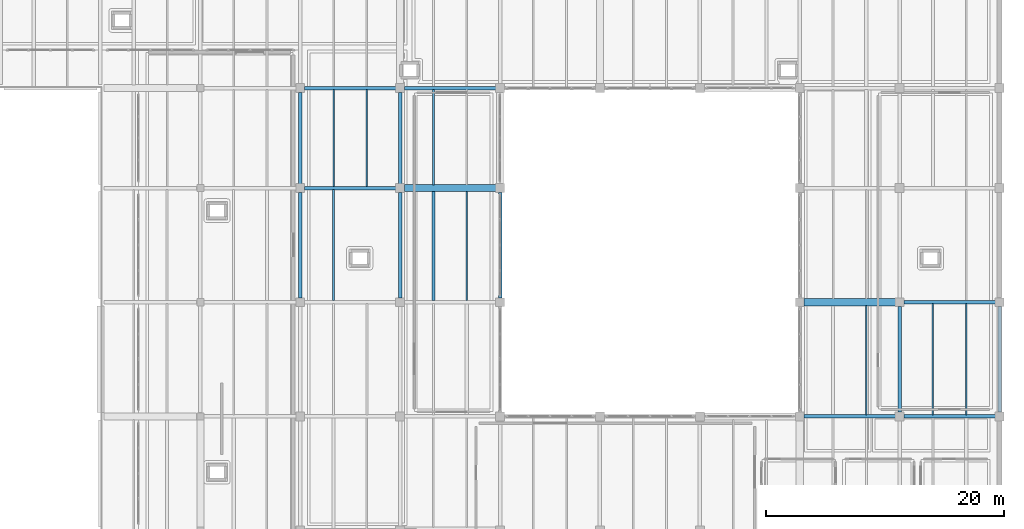
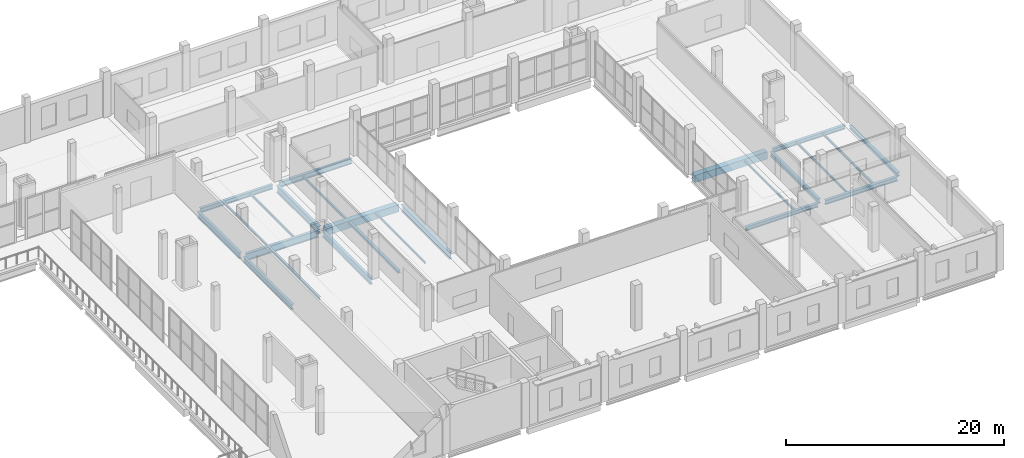
# One storey, part 41 of 77: 24 beams.
"""IFC4 building model written with IfcOpenShell, lengths in metres."""

from ifc_helpers import new_model, si_unit, direction, frame, origin, origin_2d, place, context, subcontext, project, spatial, rectangle, i_section, extrude, material, material_profile, profile_set, type_object, element, save


model = new_model("IFC4")

# Units and contexts
model_context = context("Model", 3, precision=1e-05, world=origin(), true_north=direction((0.0, 1.0)))
body_context = subcontext(model_context, "Body", "Model", "MODEL_VIEW")
ifc_project = project(units=[si_unit("LENGTHUNIT", "METRE"), si_unit("AREAUNIT", "SQUARE_METRE"), si_unit("VOLUMEUNIT", "CUBIC_METRE"), si_unit("PLANEANGLEUNIT", "RADIAN"), si_unit("MASSUNIT", "GRAM", prefix="KILO")], contexts=[model_context])

# Site, building, storey
site_placement = place(None, origin())
site = spatial("IfcSite", under=ifc_project, at=site_placement, CompositionType="ELEMENT")
building_placement = place(site_placement, origin())
building = spatial("IfcBuilding", under=site, at=building_placement, Name="Zulmaris Art Gallery", CompositionType="ELEMENT")
storey_placement = place(building_placement, frame((0.0, 0.0, 15.60009765625)))
storey = spatial("IfcBuildingStorey", under=building, at=storey_placement, Name="L03", CompositionType="ELEMENT", Elevation=15.60009765625)

# Beams
ifc_material_1 = material(Name="Steel S355J2", Category="steel")
ifc_material_profile_1 = material_profile(ifc_material_1, i_section(OverallWidth=0.300048828125, OverallDepth=0.43994140625, WebThickness=0.011474609375, FlangeThickness=0.02099609375, FilletRadius=0.027099609375, at=origin_2d()), Name="HEA 450")
ifc_profile_set_1 = profile_set([ifc_material_profile_1], Name="Steel S355J2")
beam_type_1 = type_object("IfcBeamType", Name="BEAM-BM10", PredefinedType="BEAM", material=ifc_profile_set_1)
for number, where, z_axis, x_axis, name in (
    (1, (183.9599609375, 31.199951171875, -0.6201171875), (1.0, 0.0, 0.0), (0.0, 1.0, 0.0), "L03 X-girder (183.6..192.0, y=31.2)"),
    (2, (192.360107421875, 40.800048828125, -0.6201171875), (1.0, 0.0, 0.0), (0.0, 1.0, 0.0), "L03 X-girder (192.0..200.4, y=40.8)"),
):
    element("IfcBeam", number, at=place(storey_placement, frame(where, z_axis=z_axis, x_axis=x_axis)), inside=storey, type_object=beam_type_1, Name=name, PredefinedType="BEAM", context=body_context, shape_type="SweptSolid", body=[
        extrude(i_section(OverallWidth=0.300048828125, OverallDepth=0.43994140625, WebThickness=0.011474609375, FlangeThickness=0.02099609375, FilletRadius=0.027099609375, at=origin_2d()), origin(), (0.0, 0.0, 1.0), 7.679931640625),
    ])
ifc_material_profile_2 = material_profile(ifc_material_1, i_section(OverallWidth=0.300048828125, OverallDepth=0.489990234375, WebThickness=0.011962890625, FlangeThickness=0.02294921875, FilletRadius=0.027099609375, at=origin_2d()), Name="HEA 500")
ifc_profile_set_2 = profile_set([ifc_material_profile_2], Name="Steel S355J2")
beam_type_2 = type_object("IfcBeamType", Name="BEAM-BM11", PredefinedType="BEAM", material=ifc_profile_set_2)
for number, where, z_axis, x_axis, name in (
    (3, (192.360107421875, 31.199951171875, -0.614990234375), (1.0, 0.0, 0.0), (0.0, 1.0, 0.0), "L03 X-girder (192.0..200.4, y=31.2)"),
    (4, (141.9599609375, 58.800048828125, -0.614990234375), (1.0, 0.0, 0.0), (0.0, 1.0, 0.0), "L03 X-girder (141.6..150.0, y=58.8)"),
):
    element("IfcBeam", number, at=place(storey_placement, frame(where, z_axis=z_axis, x_axis=x_axis)), inside=storey, type_object=beam_type_2, Name=name, PredefinedType="BEAM", context=body_context, shape_type="SweptSolid", body=[
        extrude(i_section(OverallWidth=0.300048828125, OverallDepth=0.489990234375, WebThickness=0.011962890625, FlangeThickness=0.02294921875, FilletRadius=0.027099609375, at=origin_2d()), origin(), (0.0, 0.0, 1.0), 7.679931640625),
    ])
beam_1_placement = place(storey_placement, frame((192.0, 31.56005859375, -0.614990234375), z_axis=(0.0, 1.0, 0.0), x_axis=(-1.0, 0.0, 0.0)))
element("IfcBeam", 5, at=beam_1_placement, inside=storey, type_object=beam_type_2, Name="L03 Y-girder (x=192.0, 31.2..40.8)", PredefinedType="BEAM", context=body_context, shape_type="SweptSolid", body=[
    extrude(i_section(OverallWidth=0.300048828125, OverallDepth=0.489990234375, WebThickness=0.011962890625, FlangeThickness=0.02294921875, FilletRadius=0.027099609375, at=origin_2d()), origin(), (0.0, 0.0, 1.0), 8.8798828125),
])
ifc_material_profile_3 = material_profile(ifc_material_1, i_section(OverallWidth=0.300048828125, OverallDepth=0.60009765625, WebThickness=0.015380859375, FlangeThickness=0.030029296875, FilletRadius=0.027099609375, at=origin_2d()), Name="HEB 600")
ifc_profile_set_3 = profile_set([ifc_material_profile_3], Name="Steel S355J2")
beam_type_3 = type_object("IfcBeamType", Name="BEAM-BM15", PredefinedType="BEAM", material=ifc_profile_set_3)
beam_2_placement = place(storey_placement, frame((150.360107421875, 58.800048828125, -0.670166015625), z_axis=(1.0, 0.0, 0.0), x_axis=(0.0, 1.0, 0.0)))
element("IfcBeam", 6, at=beam_2_placement, inside=storey, type_object=beam_type_3, Name="L03 X-girder (150.0..158.4, y=58.8)", PredefinedType="BEAM", context=body_context, shape_type="SweptSolid", body=[
    extrude(i_section(OverallWidth=0.300048828125, OverallDepth=0.60009765625, WebThickness=0.015380859375, FlangeThickness=0.030029296875, FilletRadius=0.027099609375, at=origin_2d()), origin(), (0.0, 0.0, 1.0), 7.679931640625),
])
beam_3_placement = place(storey_placement, frame((141.60009765625, 41.159912109375, -0.670166015625), z_axis=(0.0, 1.0, 0.0), x_axis=(-1.0, 0.0, 0.0)))
element("IfcBeam", 7, at=beam_3_placement, inside=storey, type_object=beam_type_3, Name="L03 Y-girder (x=141.6, 40.8..50.4)", PredefinedType="BEAM", context=body_context, shape_type="SweptSolid", body=[
    extrude(i_section(OverallWidth=0.300048828125, OverallDepth=0.60009765625, WebThickness=0.015380859375, FlangeThickness=0.030029296875, FilletRadius=0.027099609375, at=origin_2d()), origin(), (0.0, 0.0, 1.0), 8.880126953125),
])
ifc_material_profile_4 = material_profile(ifc_material_1, i_section(OverallWidth=0.300048828125, OverallDepth=0.699951171875, WebThickness=0.01708984375, FlangeThickness=0.031982421875, FilletRadius=0.027099609375, at=origin_2d()), Name="HEB 700")
ifc_profile_set_4 = profile_set([ifc_material_profile_4], Name="Steel S355J2")
beam_type_4 = type_object("IfcBeamType", Name="BEAM-BM16", PredefinedType="BEAM", material=ifc_profile_set_4)
beam_4_placement = place(storey_placement, frame((141.60009765625, 50.760009765625, -0.72021484375), z_axis=(0.0, 1.0, 0.0), x_axis=(-1.0, 0.0, 0.0)))
element("IfcBeam", 8, at=beam_4_placement, inside=storey, type_object=beam_type_4, Name="L03 Y-girder (x=141.6, 50.4..58.8)", PredefinedType="BEAM", context=body_context, shape_type="SweptSolid", body=[
    extrude(i_section(OverallWidth=0.300048828125, OverallDepth=0.699951171875, WebThickness=0.01708984375, FlangeThickness=0.031982421875, FilletRadius=0.027099609375, at=origin_2d()), origin(), (0.0, 0.0, 1.0), 7.679931640625),
])
beam_5_placement = place(storey_placement, frame((150.0, 41.159912109375, -0.72021484375), z_axis=(0.0, 1.0, 0.0), x_axis=(-1.0, 0.0, 0.0)))
element("IfcBeam", 9, at=beam_5_placement, inside=storey, type_object=beam_type_4, Name="L03 Y-girder (x=150.0, 40.8..50.4)", PredefinedType="BEAM", context=body_context, shape_type="SweptSolid", body=[
    extrude(i_section(OverallWidth=0.300048828125, OverallDepth=0.699951171875, WebThickness=0.01708984375, FlangeThickness=0.031982421875, FilletRadius=0.027099609375, at=origin_2d()), origin(), (0.0, 0.0, 1.0), 8.880126953125),
])
ifc_material_profile_5 = material_profile(ifc_material_1, i_section(OverallWidth=0.300048828125, OverallDepth=0.800048828125, WebThickness=0.017578125, FlangeThickness=0.032958984375, FilletRadius=0.030029296875, at=origin_2d()), Name="HEB 800")
ifc_profile_set_5 = profile_set([ifc_material_profile_5], Name="Steel S355J2")
beam_type_5 = type_object("IfcBeamType", Name="BEAM-BM17", PredefinedType="BEAM", material=ifc_profile_set_5)
for number, where, z_axis, x_axis, name in (
    (10, (141.9599609375, 50.39990234375, -0.77001953125), (1.0, 0.0, 0.0), (0.0, 1.0, 0.0), "L03 X-girder (141.6..150.0, y=50.4)"),
    (11, (150.0, 50.760009765625, -0.77001953125), (0.0, 1.0, 0.0), (-1.0, 0.0, 0.0), "L03 Y-girder (x=150.0, 50.4..58.8)"),
):
    element("IfcBeam", number, at=place(storey_placement, frame(where, z_axis=z_axis, x_axis=x_axis)), inside=storey, type_object=beam_type_5, Name=name, PredefinedType="BEAM", context=body_context, shape_type="SweptSolid", body=[
        extrude(i_section(OverallWidth=0.300048828125, OverallDepth=0.800048828125, WebThickness=0.017578125, FlangeThickness=0.032958984375, FilletRadius=0.030029296875, at=origin_2d()), origin(), (0.0, 0.0, 1.0), 7.679931640625),
    ])
beam_6_placement = place(storey_placement, frame((158.39990234375, 41.159912109375, -0.77001953125), z_axis=(0.0, 1.0, 0.0), x_axis=(-1.0, 0.0, 0.0)))
element("IfcBeam", 12, at=beam_6_placement, inside=storey, type_object=beam_type_5, Name="L03 Y-girder (x=158.4, 40.8..50.4)", PredefinedType="BEAM", context=body_context, shape_type="SweptSolid", body=[
    extrude(i_section(OverallWidth=0.300048828125, OverallDepth=0.800048828125, WebThickness=0.017578125, FlangeThickness=0.032958984375, FilletRadius=0.030029296875, at=origin_2d()), origin(), (0.0, 0.0, 1.0), 8.880126953125),
])
ifc_material_2 = material(Name="Concrete C40/50", Category="concrete")
ifc_material_profile_6 = material_profile(ifc_material_2, rectangle(XDim=0.60009765625, YDim=0.800048828125, at=origin_2d()), Name="RC 600x800")
ifc_profile_set_6 = profile_set([ifc_material_profile_6], Name="Concrete C40/50")
beam_type_6 = type_object("IfcBeamType", Name="BEAM-BM27", PredefinedType="BEAM", material=ifc_profile_set_6)
for number, where, z_axis, x_axis, name in (
    (13, (183.9599609375, 40.800048828125, -0.77001953125), (1.0, 0.0, 0.0), (0.0, 1.0, 0.0), "L03 X-girder (183.6..192.0, y=40.8)"),
    (14, (150.360107421875, 50.39990234375, -0.77001953125), (1.0, 0.0, 0.0), (0.0, 1.0, 0.0), "L03 X-girder (150.0..158.4, y=50.4)"),
):
    element("IfcBeam", number, at=place(storey_placement, frame(where, z_axis=z_axis, x_axis=x_axis)), inside=storey, type_object=beam_type_6, Name=name, PredefinedType="BEAM", context=body_context, shape_type="SweptSolid", body=[
        extrude(rectangle(XDim=0.60009765625, YDim=0.800048828125, at=origin_2d()), origin(), (0.0, 0.0, 1.0), 7.679931640625),
    ])
ifc_material_profile_7 = material_profile(ifc_material_1, i_section(OverallWidth=0.1201171875, OverallDepth=0.239990234375, WebThickness=0.006103515625, FlangeThickness=0.009765625, FilletRadius=0.014892578125, at=origin_2d()), Name="IPE 240")
ifc_profile_set_7 = profile_set([ifc_material_profile_7], Name="Steel S355J2")
beam_type_7 = type_object("IfcBeamType", Name="BEAM-JS01", PredefinedType="JOIST", material=ifc_profile_set_7)
beam_7_placement = place(storey_placement, frame((144.39990234375, 50.52490234375, -0.489990234375), z_axis=(0.0, 1.0, 0.0), x_axis=(-1.0, 0.0, 0.0)))
element("IfcBeam", 15, at=beam_7_placement, inside=storey, type_object=beam_type_7, Name="L03 secondary joist at x=144.4", PredefinedType="JOIST", context=body_context, shape_type="SweptSolid", body=[
    extrude(i_section(OverallWidth=0.1201171875, OverallDepth=0.239990234375, WebThickness=0.006103515625, FlangeThickness=0.009765625, FilletRadius=0.014892578125, at=origin_2d()), origin(), (0.0, 0.0, 1.0), 8.150146484375),
])
for number, where, z_axis, x_axis, name in (
    (16, (155.60009765625, 40.925048828125, -0.489990234375), (0.0, 1.0, 0.0), (-1.0, 0.0, 0.0), "L03 secondary joist at x=155.6"),
    (17, (189.199951171875, 31.324951171875, -0.489990234375), (0.0, 1.0, 0.0), (-1.0, 0.0, 0.0), "L03 secondary joist at x=189.2"),
):
    element("IfcBeam", number, at=place(storey_placement, frame(where, z_axis=z_axis, x_axis=x_axis)), inside=storey, type_object=beam_type_7, Name=name, PredefinedType="JOIST", context=body_context, shape_type="SweptSolid", body=[
        extrude(i_section(OverallWidth=0.1201171875, OverallDepth=0.239990234375, WebThickness=0.006103515625, FlangeThickness=0.009765625, FilletRadius=0.014892578125, at=origin_2d()), origin(), (0.0, 0.0, 1.0), 9.199951171875),
    ])
beam_8_placement = place(storey_placement, frame((194.800048828125, 31.324951171875, -0.489990234375), z_axis=(0.0, 1.0, 0.0), x_axis=(-1.0, 0.0, 0.0)))
element("IfcBeam", 18, at=beam_8_placement, inside=storey, type_object=beam_type_7, Name="L03 secondary joist at x=194.8", PredefinedType="JOIST", context=body_context, shape_type="SweptSolid", body=[
    extrude(i_section(OverallWidth=0.1201171875, OverallDepth=0.239990234375, WebThickness=0.006103515625, FlangeThickness=0.009765625, FilletRadius=0.014892578125, at=origin_2d()), origin(), (0.0, 0.0, 1.0), 9.35009765625),
])
ifc_material_profile_8 = material_profile(ifc_material_1, i_section(OverallWidth=0.135009765625, OverallDepth=0.27001953125, WebThickness=0.006591796875, FlangeThickness=0.01025390625, FilletRadius=0.014892578125, at=origin_2d()), Name="IPE 270")
ifc_profile_set_8 = profile_set([ifc_material_profile_8], Name="Steel S355J2")
beam_type_8 = type_object("IfcBeamType", Name="BEAM-JS02", PredefinedType="JOIST", material=ifc_profile_set_8)
beam_9_placement = place(storey_placement, frame((147.199951171875, 50.52490234375, -0.505126953125), z_axis=(0.0, 1.0, 0.0), x_axis=(-1.0, 0.0, 0.0)))
element("IfcBeam", 19, at=beam_9_placement, inside=storey, type_object=beam_type_8, Name="L03 secondary joist at x=147.2", PredefinedType="JOIST", context=body_context, shape_type="SweptSolid", body=[
    extrude(i_section(OverallWidth=0.135009765625, OverallDepth=0.27001953125, WebThickness=0.006591796875, FlangeThickness=0.01025390625, FilletRadius=0.014892578125, at=origin_2d()), origin(), (0.0, 0.0, 1.0), 8.150146484375),
])
beam_10_placement = place(storey_placement, frame((152.800048828125, 50.675048828125, -0.505126953125), z_axis=(0.0, 1.0, 0.0), x_axis=(-1.0, 0.0, 0.0)))
element("IfcBeam", 20, at=beam_10_placement, inside=storey, type_object=beam_type_8, Name="L03 secondary joist at x=152.8", PredefinedType="JOIST", context=body_context, shape_type="SweptSolid", body=[
    extrude(i_section(OverallWidth=0.135009765625, OverallDepth=0.27001953125, WebThickness=0.006591796875, FlangeThickness=0.01025390625, FilletRadius=0.014892578125, at=origin_2d()), origin(), (0.0, 0.0, 1.0), 8.0),
])
beam_11_placement = place(storey_placement, frame((197.60009765625, 31.324951171875, -0.505126953125), z_axis=(0.0, 1.0, 0.0), x_axis=(-1.0, 0.0, 0.0)))
element("IfcBeam", 21, at=beam_11_placement, inside=storey, type_object=beam_type_8, Name="L03 secondary joist at x=197.6", PredefinedType="JOIST", context=body_context, shape_type="SweptSolid", body=[
    extrude(i_section(OverallWidth=0.135009765625, OverallDepth=0.27001953125, WebThickness=0.006591796875, FlangeThickness=0.01025390625, FilletRadius=0.014892578125, at=origin_2d()), origin(), (0.0, 0.0, 1.0), 9.35009765625),
])
ifc_material_profile_9 = material_profile(ifc_material_1, i_section(OverallWidth=0.159912109375, OverallDepth=0.330078125, WebThickness=0.007568359375, FlangeThickness=0.011474609375, FilletRadius=0.01806640625, at=origin_2d()), Name="IPE 330")
ifc_profile_set_9 = profile_set([ifc_material_profile_9], Name="Steel S355J2")
beam_type_9 = type_object("IfcBeamType", Name="BEAM-JS03", PredefinedType="JOIST", material=ifc_profile_set_9)
beam_12_placement = place(storey_placement, frame((144.39990234375, 40.925048828125, -0.53515625), z_axis=(0.0, 1.0, 0.0), x_axis=(-1.0, 0.0, 0.0)))
element("IfcBeam", 22, at=beam_12_placement, inside=storey, type_object=beam_type_9, Name="L03 secondary joist at x=144.4", PredefinedType="JOIST", context=body_context, shape_type="SweptSolid", body=[
    extrude(i_section(OverallWidth=0.159912109375, OverallDepth=0.330078125, WebThickness=0.007568359375, FlangeThickness=0.011474609375, FilletRadius=0.01806640625, at=origin_2d()), origin(), (0.0, 0.0, 1.0), 9.349853515625),
])
ifc_material_profile_10 = material_profile(ifc_material_1, i_section(OverallWidth=0.280029296875, OverallDepth=0.27001953125, WebThickness=0.008056640625, FlangeThickness=0.012939453125, FilletRadius=0.02392578125, at=origin_2d()), Name="HEA 280")
ifc_profile_set_10 = profile_set([ifc_material_profile_10], Name="Steel S355J2")
beam_type_10 = type_object("IfcBeamType", Name="BEAM-JS04", PredefinedType="JOIST", material=ifc_profile_set_10)
beam_13_placement = place(storey_placement, frame((152.800048828125, 40.925048828125, -0.505126953125), z_axis=(0.0, 1.0, 0.0), x_axis=(-1.0, 0.0, 0.0)))
element("IfcBeam", 23, at=beam_13_placement, inside=storey, type_object=beam_type_10, Name="L03 secondary joist at x=152.8", PredefinedType="JOIST", context=body_context, shape_type="SweptSolid", body=[
    extrude(i_section(OverallWidth=0.280029296875, OverallDepth=0.27001953125, WebThickness=0.008056640625, FlangeThickness=0.012939453125, FilletRadius=0.02392578125, at=origin_2d()), origin(), (0.0, 0.0, 1.0), 9.199951171875),
])
ifc_material_profile_11 = material_profile(ifc_material_1, i_section(OverallWidth=0.300048828125, OverallDepth=0.39990234375, WebThickness=0.013427734375, FlangeThickness=0.02392578125, FilletRadius=0.027099609375, at=origin_2d()), Name="HEB 400")
ifc_profile_set_11 = profile_set([ifc_material_profile_11], Name="Steel S355J2")
beam_type_11 = type_object("IfcBeamType", Name="BEAM-SP02", PredefinedType="SPANDREL", material=ifc_profile_set_11)
beam_14_placement = place(storey_placement, frame((200.39990234375, 31.56005859375, -0.570068359375), z_axis=(0.0, 1.0, 0.0), x_axis=(-1.0, 0.0, 0.0)))
element("IfcBeam", 24, at=beam_14_placement, inside=storey, type_object=beam_type_11, Name="L03 Y-girder (x=200.4, 31.2..40.8)", PredefinedType="SPANDREL", context=body_context, shape_type="SweptSolid", body=[
    extrude(i_section(OverallWidth=0.300048828125, OverallDepth=0.39990234375, WebThickness=0.013427734375, FlangeThickness=0.02392578125, FilletRadius=0.027099609375, at=origin_2d()), origin(), (0.0, 0.0, 1.0), 8.8798828125),
])

save(model, "model.ifc")
